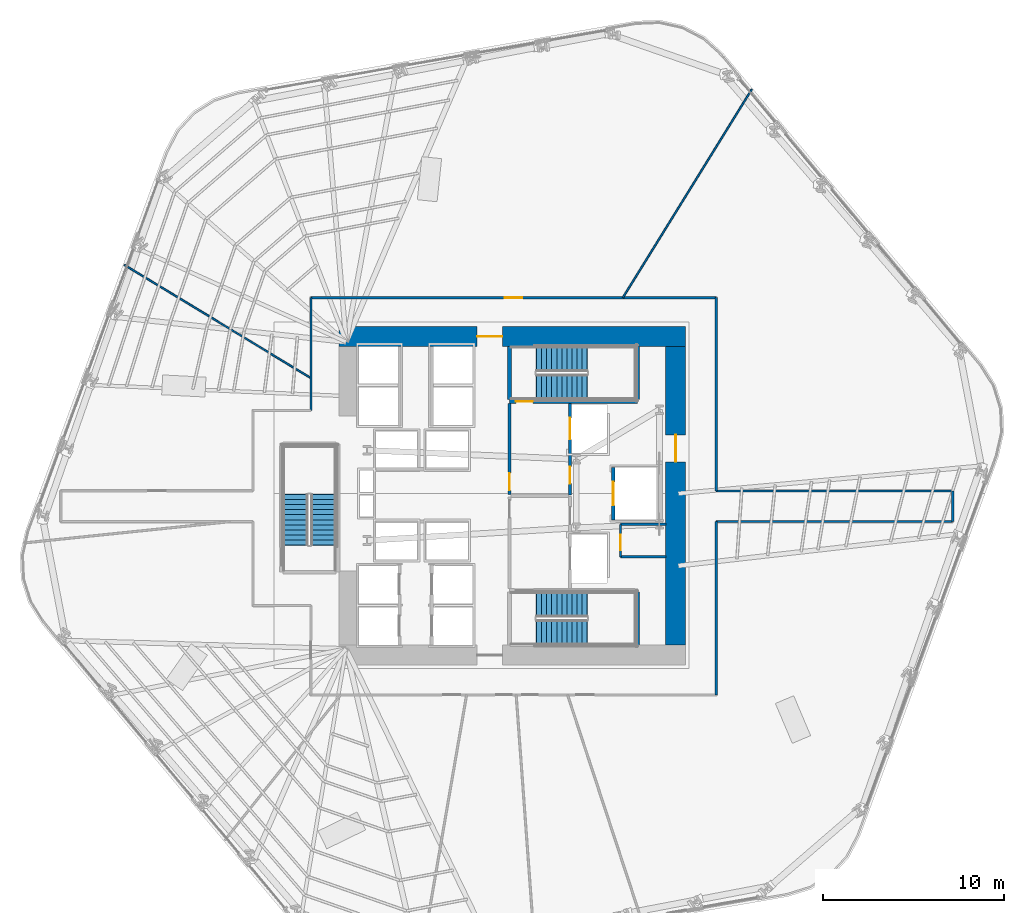
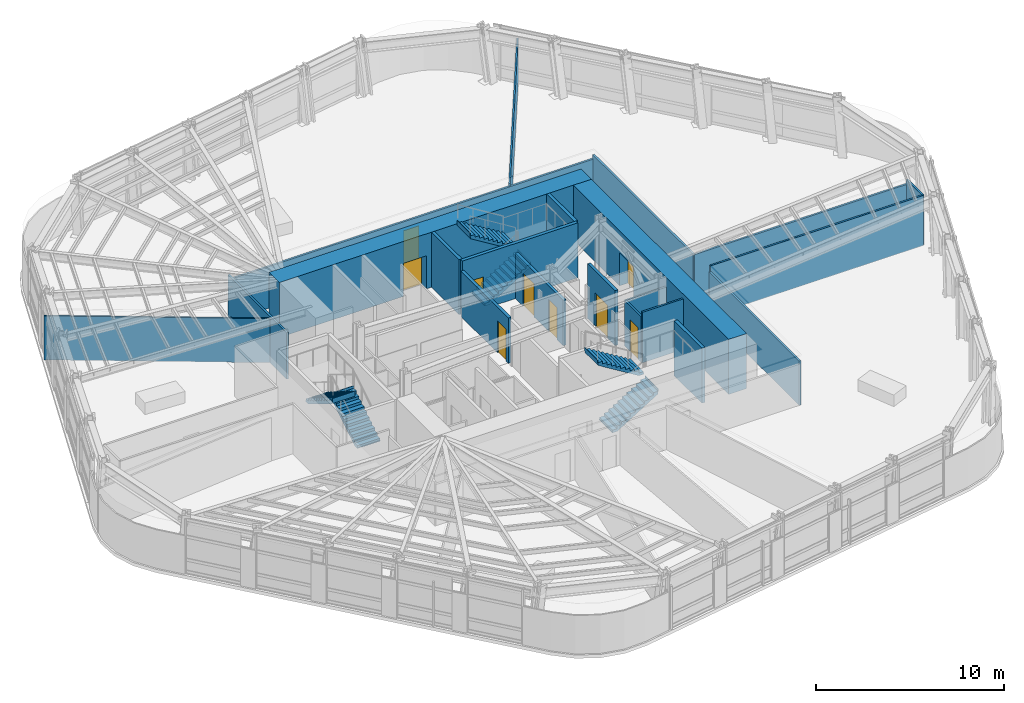
# One storey, part 9 of 16: 21 walls, 9 doors, 6 stair flights, 9 openings, 3 elements without a shape of their own.
"""IFC4 building model written with IfcOpenShell, lengths in metres."""

from ifc_helpers import new_model, si_unit, direction, frame, frame_2d, origin, place, context, subcontext, project, spatial, polyline, rectangle, outline, extrude, material, layer, layer_set, type_object, element, fill, aggregate, save


model = new_model("IFC4")

# Units and contexts
model_context = context("Model", 3, precision=1e-05, world=origin(), true_north=direction((0.0, 1.0)))
body_context = subcontext(model_context, "Body", "Model", "MODEL_VIEW")
ifc_project = project(units=[si_unit("LENGTHUNIT", "METRE"), si_unit("AREAUNIT", "SQUARE_METRE"), si_unit("VOLUMEUNIT", "CUBIC_METRE"), si_unit("PLANEANGLEUNIT", "RADIAN"), si_unit("MASSUNIT", "GRAM", prefix="KILO")], contexts=[model_context])

# Site, building, storey
site_placement = place(None, origin())
site = spatial("IfcSite", under=ifc_project, at=site_placement, CompositionType="ELEMENT")
building_placement = place(site_placement, origin())
building = spatial("IfcBuilding", under=site, at=building_placement, Name="Valkerne Bourse Tower", CompositionType="ELEMENT")
storey_placement = place(building_placement, frame((0.0, 0.0, 65.800048828125)))
storey = spatial("IfcBuildingStorey", under=building, at=storey_placement, Name="L16", CompositionType="ELEMENT", Elevation=65.800048828125)

# Wall, opening, door
ifc_material_1 = material(Name="Concrete C70/85", Category="concrete")
ifc_layer_1 = layer(ifc_material_1, 1.10009765625)
ifc_layer_set_1 = layer_set([ifc_layer_1], Name="Concrete C70/85")
wall_type_1 = type_object("IfcWallType", Name="W-CORE-1100", PredefinedType="SHEAR", material=ifc_layer_set_1)
wall_1_placement = place(storey_placement, frame((37.199951171875, 35.699951171875, 0.0), z_axis=(0.0, 0.0, 1.0), x_axis=(1.0, 0.0, 0.0)))
wall_1 = element("IfcWall", 1, at=wall_1_placement, inside=storey, type_object=wall_type_1, Name="L16 Core Shear Wall NORTH", PredefinedType="SHEAR", context=body_context, shape_type="SweptSolid", body=[
    extrude(rectangle(XDim=19.199951171875, YDim=1.10009765625, at=frame_2d((9.60009765625, 0.0))), origin(), (0.0, 0.0, 1.0), 3.579833984375),
])
opening_1_placement = place(wall_1_placement, frame((7.64990234375, 0.0, 0.0)))
opening_1 = element("IfcOpeningElement", 2, at=opening_1_placement, cuts=wall_1, Name="Opening D-PL-1400", PredefinedType="OPENING", context=body_context, shape_type="SweptSolid", body=[
    extrude(rectangle(XDim=1.39990234375, YDim=2.14990234375, at=frame_2d((0.699951171875, 1.074951171875))), frame((0.0, 0.56005859375, 0.0), z_axis=(0.0, -1.0, 0.0), x_axis=(1.0, 0.0, 0.0)), (0.0, 0.0, 1.0), 1.1201171875),
])
ifc_material_2 = material(Name="Galvanised Painted Steel", Category="steel")
door_type_1 = type_object("IfcDoorType", Name="DR-PLT-1400", OperationType="DOUBLE_DOOR_SINGLE_SWING", PredefinedType="DOOR", material=ifc_material_2)
door_1_placement = place(opening_1_placement, origin())
door_1 = element("IfcDoor", 3, at=door_1_placement, inside=storey, type_object=door_type_1, Name="L16 North Passenger Lift Hall Fire Door", OperationType="DOUBLE_DOOR_SINGLE_SWING", OverallHeight=2.14990234375, OverallWidth=1.39990234375, PredefinedType="DOOR", context=body_context, shape_type="SweptSolid", body=[
    extrude(rectangle(XDim=1.39990234375, YDim=2.14990234375, at=frame_2d((0.699951171875, 1.074951171875))), frame((0.0, 0.02490234375, 0.0), z_axis=(0.0, -1.0, 0.0), x_axis=(1.0, 0.0, 0.0)), (0.0, 0.0, 1.0), 0.050048828125),
])
fill(opening_1, door_1)

wall_2_placement = place(storey_placement, frame((55.85009765625, 18.60009765625, 0.0), z_axis=(0.0, 0.0, 1.0), x_axis=(0.0, 1.0, 0.0)))
wall_2 = element("IfcWall", 4, at=wall_2_placement, inside=storey, type_object=wall_type_1, Name="L16 Core Shear Wall EAST", PredefinedType="SHEAR", context=body_context, shape_type="SweptSolid", body=[
    extrude(rectangle(XDim=16.5498046875, YDim=1.10009765625, at=frame_2d((8.27490234375, 0.0))), origin(), (0.0, 0.0, 1.0), 3.579833984375),
])
opening_2_placement = place(wall_2_placement, frame((10.14990234375, 0.0, 0.0)))
opening_2 = element("IfcOpeningElement", 5, at=opening_2_placement, cuts=wall_2, Name="Opening D-CR-1500", PredefinedType="OPENING", context=body_context, shape_type="SweptSolid", body=[
    extrude(rectangle(XDim=1.5, YDim=2.14990234375, at=frame_2d((0.75, 1.074951171875))), frame((0.0, 0.56005859375, 0.0), z_axis=(0.0, -1.0, 0.0), x_axis=(1.0, 0.0, 0.0)), (0.0, 0.0, 1.0), 1.1201171875),
])
door_type_2 = type_object("IfcDoorType", Name="DR-CORR-1500", OperationType="DOUBLE_DOOR_SINGLE_SWING", PredefinedType="DOOR", material=ifc_material_2)
door_2_placement = place(opening_2_placement, origin())
door_2 = element("IfcDoor", 6, at=door_2_placement, inside=storey, type_object=door_type_2, Name="L16 East Core Service Lobby Fire Door", OperationType="DOUBLE_DOOR_SINGLE_SWING", OverallHeight=2.14990234375, OverallWidth=1.5, PredefinedType="DOOR", context=body_context, shape_type="SweptSolid", body=[
    extrude(rectangle(XDim=1.5, YDim=2.14990234375, at=frame_2d((0.75, 1.074951171875))), frame((0.0, 0.02490234375, 0.0), z_axis=(0.0, -1.0, 0.0), x_axis=(1.0, 0.0, 0.0)), (0.0, 0.0, 1.0), 0.050048828125),
])
fill(opening_2, door_2)

ifc_material_3 = material(Name="Gypsum Board Steel-Stud Partition", Category="steel")
ifc_layer_2 = layer(ifc_material_3, 0.117919921875)
ifc_layer_set_2 = layer_set([ifc_layer_2], Name="Gypsum Board Steel-Stud Partition")
wall_type_2 = type_object("IfcWallType", Name="W-CORR-140", PredefinedType="PARTITIONING", material=ifc_layer_set_2)
wall_3_placement = place(storey_placement, frame((52.800048828125, 23.5, 0.0), z_axis=(0.0, 0.0, 1.0), x_axis=(0.0, 1.0, 0.0)))
wall_3 = element("IfcWall", 7, at=wall_3_placement, inside=storey, type_object=wall_type_2, Name="L16 Core SE North-Bay West Wall", PredefinedType="PARTITIONING", context=body_context, shape_type="SweptSolid", body=[
    extrude(rectangle(XDim=1.800048828125, YDim=0.117919921875, at=frame_2d((0.89990234375, 0.0))), origin(), (0.0, 0.0, 1.0), 2.957763671875),
])
opening_3_placement = place(wall_3_placement, frame((0.35009765625, 0.0, 0.0)))
opening_3 = element("IfcOpeningElement", 8, at=opening_3_placement, cuts=wall_3, Name="Opening D-WC-900", PredefinedType="OPENING", context=body_context, shape_type="SweptSolid", body=[
    extrude(rectangle(XDim=0.860107421875, YDim=2.050048828125, at=frame_2d((0.43017578125, 1.02490234375))), frame((0.0, 0.06884765625, 0.0), z_axis=(0.0, -1.0, 0.0), x_axis=(1.0, 0.0, 0.0)), (0.0, 0.0, 1.0), 0.137939453125),
])
ifc_material_4 = material(Name="Architectural White Oak Timber", Category="wood")
door_type_3 = type_object("IfcDoorType", Name="DR-WC-900", OperationType="NOTDEFINED", PredefinedType="DOOR", material=ifc_material_4)
door_3_placement = place(opening_3_placement, origin())
door_3 = element("IfcDoor", 9, at=door_3_placement, inside=storey, type_object=door_type_3, Name="L16 Telecom Closet Door", OperationType="SINGLE_SWING_RIGHT", OverallHeight=2.050048828125, OverallWidth=0.860107421875, PredefinedType="DOOR", context=body_context, shape_type="SweptSolid", body=[
    extrude(rectangle(XDim=0.860107421875, YDim=2.050048828125, at=frame_2d((0.43017578125, 1.02490234375))), frame((0.0, 0.02490234375, 0.0), z_axis=(0.0, -1.0, 0.0), x_axis=(1.0, 0.0, 0.0)), (0.0, 0.0, 1.0), 0.050048828125),
])
fill(opening_3, door_3)

# Walls
wall_4_placement = place(storey_placement, frame((52.800048828125, 23.5, 0.0), z_axis=(0.0, 0.0, 1.0), x_axis=(1.0, 0.0, 0.0)))
element("IfcWall", 10, at=wall_4_placement, inside=storey, type_object=wall_type_2, Name="L16 Core SE North-Bay South Wall", PredefinedType="PARTITIONING", context=body_context, shape_type="SweptSolid", body=[
    extrude(rectangle(XDim=2.52001953125, YDim=0.117919921875, at=frame_2d((1.260009765625, 0.0))), origin(), (0.0, 0.0, 1.0), 3.280029296875),
])
wall_5_placement = place(storey_placement, frame((52.800048828125, 25.300048828125, 0.0), z_axis=(0.0, 0.0, 1.0), x_axis=(1.0, 0.0, 0.0)))
element("IfcWall", 11, at=wall_5_placement, inside=storey, type_object=wall_type_2, Name="L16 Core SE North-Bay North Wall", PredefinedType="PARTITIONING", context=body_context, shape_type="SweptSolid", body=[
    extrude(rectangle(XDim=2.52001953125, YDim=0.117919921875, at=frame_2d((1.260009765625, 0.0))), origin(), (0.0, 0.0, 1.0), 2.957763671875),
])
wall_6_placement = place(storey_placement, frame((58.10009765625, 27.14990234375, 0.0), z_axis=(0.0, 0.0, 1.0), x_axis=(1.0, 0.0, 0.0)))
element("IfcWall", 12, at=wall_6_placement, inside=storey, type_object=wall_type_2, Name="L16 Corridor Enclosure Wall", PredefinedType="PARTITIONING", context=body_context, shape_type="SweptSolid", body=[
    extrude(rectangle(XDim=13.099853515625, YDim=0.117919921875, at=frame_2d((6.5498046875, 0.0))), origin(), (0.0, 0.0, 1.0), 2.962890625),
])
wall_7_placement = place(storey_placement, frame((71.199951171875, 27.14990234375, 0.0), z_axis=(0.0, 0.0, 1.0), x_axis=(0.0, -1.0, 0.0)))
element("IfcWall", 13, at=wall_7_placement, inside=storey, type_object=wall_type_2, Name="L16 Corridor Enclosure Wall", PredefinedType="PARTITIONING", context=body_context, shape_type="SweptSolid", body=[
    extrude(rectangle(XDim=1.699951171875, YDim=0.117919921875, at=frame_2d((0.85009765625, 0.0))), origin(), (0.0, 0.0, 1.0), 3.260009765625),
])
wall_8_placement = place(storey_placement, frame((71.199951171875, 25.449951171875, 0.0), z_axis=(0.0, 0.0, 1.0), x_axis=(-1.0, 0.0, 0.0)))
element("IfcWall", 14, at=wall_8_placement, inside=storey, type_object=wall_type_2, Name="L16 Corridor Enclosure Wall", PredefinedType="PARTITIONING", context=body_context, shape_type="SweptSolid", body=[
    extrude(rectangle(XDim=13.099853515625, YDim=0.117919921875, at=frame_2d((6.5498046875, 0.0))), origin(), (0.0, 0.0, 1.0), 3.260009765625),
])
wall_9_placement = place(storey_placement, frame((58.10009765625, 25.449951171875, 0.0), z_axis=(0.0, 0.0, 1.0), x_axis=(0.0, -1.0, 0.0)))
element("IfcWall", 15, at=wall_9_placement, inside=storey, type_object=wall_type_2, Name="L16 Corridor Enclosure Wall", PredefinedType="PARTITIONING", context=body_context, shape_type="SweptSolid", body=[
    extrude(rectangle(XDim=9.599853515625, YDim=0.117919921875, at=frame_2d((4.7998046875, 0.0))), origin(), (0.0, 0.0, 1.0), 2.87646484375),
])
wall_10_placement = place(storey_placement, frame((35.64990234375, 31.60009765625, 0.0), z_axis=(0.0, 0.0, 1.0), x_axis=(0.0, 1.0, 0.0)))
element("IfcWall", 16, at=wall_10_placement, inside=storey, type_object=wall_type_2, Name="L16 Corridor Enclosure Wall", PredefinedType="PARTITIONING", context=body_context, shape_type="SweptSolid", body=[
    extrude(rectangle(XDim=6.25, YDim=0.117919921875, at=frame_2d((3.125, 0.0))), origin(), (0.0, 0.0, 1.0), 3.021240234375),
])

# Wall, opening, door
wall_11_placement = place(storey_placement, frame((35.64990234375, 37.85009765625, 0.0), z_axis=(0.0, 0.0, 1.0), x_axis=(1.0, 0.0, 0.0)))
wall_11 = element("IfcWall", 17, at=wall_11_placement, inside=storey, type_object=wall_type_2, Name="L16 Corridor Enclosure Wall", PredefinedType="PARTITIONING", context=body_context, shape_type="SweptSolid", body=[
    extrude(rectangle(XDim=22.4501953125, YDim=0.117919921875, at=frame_2d((11.22509765625, 0.0))), origin(), (0.0, 0.0, 1.0), 2.71142578125),
])
opening_4_placement = place(wall_11_placement, frame((10.75, 0.0, 0.0)))
opening_4 = element("IfcOpeningElement", 18, at=opening_4_placement, cuts=wall_11, Name="Opening D-OF-950", PredefinedType="OPENING", context=body_context, shape_type="SweptSolid", body=[
    extrude(rectangle(XDim=0.949951171875, YDim=2.10009765625, at=frame_2d((0.47509765625, 1.050048828125))), frame((0.0, 0.06884765625, 0.0), z_axis=(0.0, -1.0, 0.0), x_axis=(1.0, 0.0, 0.0)), (0.0, 0.0, 1.0), 0.137939453125),
])
door_type_4 = type_object("IfcDoorType", Name="DR-OFF-950", OperationType="NOTDEFINED", PredefinedType="DOOR", material=ifc_material_4)
door_4_placement = place(opening_4_placement, origin())
door_4 = element("IfcDoor", 19, at=door_4_placement, inside=storey, type_object=door_type_4, Name="L16 L16 VIP Client Concierge Reception 6 Door", OperationType="SINGLE_SWING_LEFT", OverallHeight=2.10009765625, OverallWidth=0.949951171875, PredefinedType="DOOR", context=body_context, shape_type="SweptSolid", body=[
    extrude(rectangle(XDim=0.949951171875, YDim=2.10009765625, at=frame_2d((0.47509765625, 1.050048828125))), frame((0.0, 0.02490234375, 0.0), z_axis=(0.0, -1.0, 0.0), x_axis=(1.0, 0.0, 0.0)), (0.0, 0.0, 1.0), 0.050048828125),
])
fill(opening_4, door_4)

# Wall
wall_12_placement = place(storey_placement, frame((58.10009765625, 37.85009765625, 0.0), z_axis=(0.0, 0.0, 1.0), x_axis=(0.0, -1.0, 0.0)))
element("IfcWall", 20, at=wall_12_placement, inside=storey, type_object=wall_type_2, Name="L16 Corridor Enclosure Wall", PredefinedType="PARTITIONING", context=body_context, shape_type="SweptSolid", body=[
    extrude(rectangle(XDim=10.7001953125, YDim=0.117919921875, at=frame_2d((5.35009765625, 0.0))), origin(), (0.0, 0.0, 1.0), 2.962890625),
])

# Wall, opening, door
ifc_material_5 = material(Name="Gypsum Fire-Rated Shaftwall", Category="gypsum")
ifc_layer_3 = layer(ifc_material_5, 0.179931640625)
ifc_layer_set_3 = layer_set([ifc_layer_3], Name="Gypsum Fire-Rated Shaftwall")
wall_type_3 = type_object("IfcWallType", Name="W-FSAE-180", PredefinedType="PARTITIONING", material=ifc_layer_set_3)
wall_13_placement = place(storey_placement, frame((46.64990234375, 26.9599609375, 0.0), z_axis=(0.0, 0.0, 1.0), x_axis=(0.0, 1.0, 0.0)))
wall_13 = element("IfcWall", 21, at=wall_13_placement, inside=storey, type_object=wall_type_3, Name="L16 FSAE-2 Lobby West Fire Wall", PredefinedType="PARTITIONING", context=body_context, shape_type="SweptSolid", body=[
    extrude(rectangle(XDim=5.0400390625, YDim=0.179931640625, at=frame_2d((2.52001953125, 0.0))), origin(), (0.0, 0.0, 1.0), 2.957763671875),
])
opening_5_placement = place(wall_13_placement, frame((0.219970703125, 0.0, 0.0)))
opening_5 = element("IfcOpeningElement", 22, at=opening_5_placement, cuts=wall_13, Name="Opening D-FS-950", PredefinedType="OPENING", context=body_context, shape_type="SweptSolid", body=[
    extrude(rectangle(XDim=0.949951171875, YDim=2.10009765625, at=frame_2d((0.47509765625, 1.050048828125))), frame((0.0, 0.099853515625, 0.0), z_axis=(0.0, -1.0, 0.0), x_axis=(1.0, 0.0, 0.0)), (0.0, 0.0, 1.0), 0.199951171875),
])
door_type_5 = type_object("IfcDoorType", Name="DR-FSAE-950", OperationType="NOTDEFINED", PredefinedType="DOOR", material=ifc_material_2)
door_5_placement = place(opening_5_placement, origin())
door_5 = element("IfcDoor", 23, at=door_5_placement, inside=storey, type_object=door_type_5, Name="L16 FSAE-2 Hall Link Fire Door", OperationType="SINGLE_SWING_RIGHT", OverallHeight=2.10009765625, OverallWidth=0.949951171875, PredefinedType="DOOR", context=body_context, shape_type="SweptSolid", body=[
    extrude(rectangle(XDim=0.949951171875, YDim=2.10009765625, at=frame_2d((0.47509765625, 1.050048828125))), frame((0.0, 0.02490234375, 0.0), z_axis=(0.0, -1.0, 0.0), x_axis=(1.0, 0.0, 0.0)), (0.0, 0.0, 1.0), 0.050048828125),
])
fill(opening_5, door_5)

# Wall, openings, doors
wall_14_placement = place(storey_placement, frame((50.0, 26.919921875, 0.0), z_axis=(0.0, 0.0, 1.0), x_axis=(0.0, 1.0, 0.0)))
wall_14 = element("IfcWall", 24, at=wall_14_placement, inside=storey, type_object=wall_type_3, Name="L16 FSAE-2 Lobby & Shaft Front Wall", PredefinedType="PARTITIONING", context=body_context, shape_type="SweptSolid", body=[
    extrude(rectangle(XDim=5.080078125, YDim=0.179931640625, at=frame_2d((2.5400390625, 0.0))), origin(), (0.0, 0.0, 1.0), 2.957763671875),
])
opening_6_placement = place(wall_14_placement, frame((3.080078125, 0.0, 0.0)))
opening_6 = element("IfcOpeningElement", 25, at=opening_6_placement, cuts=wall_14, Name="Opening LD-1200", PredefinedType="OPENING", context=body_context, shape_type="SweptSolid", body=[
    extrude(rectangle(XDim=1.199951171875, YDim=2.14990234375, at=frame_2d((0.60009765625, 1.074951171875))), frame((0.0, 0.099853515625, 0.0), z_axis=(0.0, -1.0, 0.0), x_axis=(1.0, 0.0, 0.0)), (0.0, 0.0, 1.0), 0.199951171875),
])
opening_7_placement = place(wall_14_placement, frame((0.6298828125, 0.0, 0.0)))
opening_7 = element("IfcOpeningElement", 26, at=opening_7_placement, cuts=wall_14, Name="Opening D-FS-950", PredefinedType="OPENING", context=body_context, shape_type="SweptSolid", body=[
    extrude(rectangle(XDim=0.949951171875, YDim=2.10009765625, at=frame_2d((0.47509765625, 1.050048828125))), frame((0.0, 0.099853515625, 0.0), z_axis=(0.0, -1.0, 0.0), x_axis=(1.0, 0.0, 0.0)), (0.0, 0.0, 1.0), 0.199951171875),
])
door_6_placement = place(opening_7_placement, origin())
door_6 = element("IfcDoor", 27, at=door_6_placement, inside=storey, type_object=door_type_5, Name="L16 FSAE-2 Lobby Corridor Fire Door", OperationType="SINGLE_SWING_RIGHT", OverallHeight=2.10009765625, OverallWidth=0.949951171875, PredefinedType="DOOR", context=body_context, shape_type="SweptSolid", body=[
    extrude(rectangle(XDim=0.949951171875, YDim=2.10009765625, at=frame_2d((0.47509765625, 1.050048828125))), frame((0.0, 0.02490234375, 0.0), z_axis=(0.0, -1.0, 0.0), x_axis=(1.0, 0.0, 0.0)), (0.0, 0.0, 1.0), 0.050048828125),
])
fill(opening_7, door_6)
ifc_material_6 = material(Name="Stainless Steel AISI 316", Category="steel")
door_type_6 = type_object("IfcDoorType", Name="DR-LIFT-1200", OperationType="DOUBLE_DOOR_SLIDING", PredefinedType="DOOR", material=ifc_material_6)
door_7_placement = place(opening_6_placement, origin())
door_7 = element("IfcDoor", 28, at=door_7_placement, inside=storey, type_object=door_type_6, Name="L16 FSAE-2 Firefighting Lift Landing Door", OperationType="DOUBLE_DOOR_SLIDING", OverallHeight=2.14990234375, OverallWidth=1.199951171875, PredefinedType="DOOR", context=body_context, shape_type="SweptSolid", body=[
    extrude(rectangle(XDim=1.199951171875, YDim=2.14990234375, at=frame_2d((0.60009765625, 1.074951171875))), frame((0.0, 0.02490234375, 0.0), z_axis=(0.0, -1.0, 0.0), x_axis=(1.0, 0.0, 0.0)), (0.0, 0.0, 1.0), 0.050048828125),
])
fill(opening_6, door_7)

# Wall, opening, door
ifc_material_7 = material(Name="CMU Blockwork Masonry 200mm", Category="masonry")
ifc_layer_4 = layer(ifc_material_7, 0.179931640625)
ifc_layer_set_4 = layer_set([ifc_layer_4], Name="CMU Blockwork Masonry 200mm")
wall_type_4 = type_object("IfcWallType", Name="W-LFT-180", PredefinedType="SOLIDWALL", material=ifc_layer_set_4)
wall_15_placement = place(storey_placement, frame((52.39990234375, 25.550048828125, 0.0), z_axis=(0.0, 0.0, 1.0), x_axis=(0.0, 1.0, 0.0)))
wall_15 = element("IfcWall", 29, at=wall_15_placement, inside=storey, type_object=wall_type_4, Name="L16 Service Lift SV-1 Front Wall", PredefinedType="SOLIDWALL", context=body_context, shape_type="SweptSolid", body=[
    extrude(rectangle(XDim=2.89990234375, YDim=0.179931640625, at=frame_2d((1.449951171875, 0.0))), origin(), (0.0, 0.0, 1.0), 3.579833984375),
])
opening_8_placement = place(wall_15_placement, frame((0.800048828125, 0.0, 0.0)))
opening_8 = element("IfcOpeningElement", 30, at=opening_8_placement, cuts=wall_15, Name="Opening LD-1300", PredefinedType="OPENING", context=body_context, shape_type="SweptSolid", body=[
    extrude(rectangle(XDim=1.300048828125, YDim=2.14990234375, at=frame_2d((0.64990234375, 1.074951171875))), frame((0.0, 0.099853515625, 0.0), z_axis=(0.0, -1.0, 0.0), x_axis=(1.0, 0.0, 0.0)), (0.0, 0.0, 1.0), 0.199951171875),
])
door_type_7 = type_object("IfcDoorType", Name="DR-LIFT-1300", OperationType="DOUBLE_DOOR_SLIDING", PredefinedType="DOOR", material=ifc_material_6)
door_8_placement = place(opening_8_placement, origin())
door_8 = element("IfcDoor", 31, at=door_8_placement, inside=storey, type_object=door_type_7, Name="L16 Service Lift SV-1 Landing Door", OperationType="DOUBLE_DOOR_SLIDING", OverallHeight=2.14990234375, OverallWidth=1.300048828125, PredefinedType="DOOR", context=body_context, shape_type="SweptSolid", body=[
    extrude(rectangle(XDim=1.300048828125, YDim=2.14990234375, at=frame_2d((0.64990234375, 1.074951171875))), frame((0.0, 0.02490234375, 0.0), z_axis=(0.0, -1.0, 0.0), x_axis=(1.0, 0.0, 0.0)), (0.0, 0.0, 1.0), 0.050048828125),
])
fill(opening_8, door_8)

# Walls
ifc_layer_5 = layer(ifc_material_3, 0.092041015625)
ifc_layer_set_5 = layer_set([ifc_layer_5], Name="Gypsum Board Steel-Stud Partition")
wall_type_5 = type_object("IfcWallType", Name="W-PART-115", PredefinedType="PARTITIONING", material=ifc_layer_set_5)
wall_16_placement = place(storey_placement, frame((52.9267578125, 37.85498046875, 0.0), z_axis=(0.0, 0.0, 1.0), x_axis=(0.526740515389, 0.850026134567, 0.0)))
element("IfcWall", 32, at=wall_16_placement, inside=storey, type_object=wall_type_5, Name="L16 Suite Partition P04", PredefinedType="PARTITIONING", context=body_context, shape_type="SweptSolid", body=[
    extrude(rectangle(XDim=13.56689453125, YDim=0.092041015625, at=frame_2d((6.783447265625, 0.0))), origin(), (0.0, 0.0, 1.0), 2.86376953125),
])
wall_17_placement = place(storey_placement, frame((35.64501953125, 33.402587890625, 0.0), z_axis=(0.0, 0.0, 1.0), x_axis=(-0.854995847328, 0.518634843654, 0.0)))
element("IfcWall", 33, at=wall_17_placement, inside=storey, type_object=wall_type_5, Name="L16 Suite Partition P05", PredefinedType="PARTITIONING", context=body_context, shape_type="SweptSolid", body=[
    extrude(rectangle(XDim=12.082763671875, YDim=0.092041015625, at=frame_2d((6.04150390625, 0.0))), origin(), (0.0, 0.0, 1.0), 2.86376953125),
])
ifc_material_8 = material(Name="Concrete C40/50", Category="concrete")
ifc_layer_6 = layer(ifc_material_8, 0.199951171875)
ifc_layer_set_6 = layer_set([ifc_layer_6], Name="Concrete C40/50")
wall_type_6 = type_object("IfcWallType", Name="W-SHF-200", PredefinedType="SHEAR", material=ifc_layer_set_6)
wall_18_placement = place(storey_placement, frame((53.75, 18.60009765625, 0.0), z_axis=(0.0, 0.0, 1.0), x_axis=(0.0, 1.0, 0.0)))
element("IfcWall", 34, at=wall_18_placement, inside=storey, type_object=wall_type_6, Name="L16 Exit Stair ST-1 Structural Shaft Wall East", PredefinedType="SHEAR", context=body_context, shape_type="SweptSolid", body=[
    extrude(rectangle(XDim=2.949951171875, YDim=0.199951171875, at=frame_2d((1.47509765625, 0.0))), origin(), (0.0, 0.0, 1.0), 3.579833984375),
])

# Wall, opening, door
wall_19_placement = place(storey_placement, frame((46.64990234375, 32.10009765625, 0.0), z_axis=(0.0, 0.0, 1.0), x_axis=(1.0, 0.0, 0.0)))
wall_19 = element("IfcWall", 35, at=wall_19_placement, inside=storey, type_object=wall_type_6, Name="L16 Exit Stair ST-2 Structural Shaft Wall South", PredefinedType="SHEAR", context=body_context, shape_type="SweptSolid", body=[
    extrude(rectangle(XDim=7.10009765625, YDim=0.199951171875, at=frame_2d((3.550048828125, 0.0))), origin(), (0.0, 0.0, 1.0), 3.579833984375),
])
opening_9_placement = place(wall_19_placement, frame((0.35009765625, 0.0, 0.0)))
opening_9 = element("IfcOpeningElement", 36, at=opening_9_placement, cuts=wall_19, Name="Opening D-ST-950", PredefinedType="OPENING", context=body_context, shape_type="SweptSolid", body=[
    extrude(rectangle(XDim=0.949951171875, YDim=2.10009765625, at=frame_2d((0.47509765625, 1.050048828125))), frame((0.0, 0.10986328125, 0.0), z_axis=(0.0, -1.0, 0.0), x_axis=(1.0, 0.0, 0.0)), (0.0, 0.0, 1.0), 0.219970703125),
])
door_type_8 = type_object("IfcDoorType", Name="DR-STAIR-950", OperationType="NOTDEFINED", PredefinedType="DOOR", material=ifc_material_2)
door_9_placement = place(opening_9_placement, origin())
door_9 = element("IfcDoor", 37, at=door_9_placement, inside=storey, type_object=door_type_8, Name="L16 Exit Stair ST-2 Door", OperationType="SINGLE_SWING_RIGHT", OverallHeight=2.10009765625, OverallWidth=0.949951171875, PredefinedType="DOOR", context=body_context, shape_type="SweptSolid", body=[
    extrude(rectangle(XDim=0.949951171875, YDim=2.10009765625, at=frame_2d((0.47509765625, 1.050048828125))), frame((0.0, 0.02490234375, 0.0), z_axis=(0.0, -1.0, 0.0), x_axis=(1.0, 0.0, 0.0)), (0.0, 0.0, 1.0), 0.050048828125),
])
fill(opening_9, door_9)

# Walls
for number, where, z_axis, x_axis, name in (
    (38, (46.64990234375, 32.199951171875, 0.0), (0.0, 0.0, 1.0), (0.0, 1.0, 0.0), "L16 Exit Stair ST-2 Structural Shaft Wall West"),
    (39, (53.75, 32.199951171875, 0.0), (0.0, 0.0, 1.0), (0.0, 1.0, 0.0), "L16 Exit Stair ST-2 Structural Shaft Wall East"),
):
    element("IfcWall", number, at=place(storey_placement, frame(where, z_axis=z_axis, x_axis=x_axis)), inside=storey, type_object=wall_type_6, Name=name, PredefinedType="SHEAR", context=body_context, shape_type="SweptSolid", body=[
        extrude(rectangle(XDim=2.949951171875, YDim=0.199951171875, at=frame_2d((1.47509765625, 0.0))), origin(), (0.0, 0.0, 1.0), 3.579833984375),
    ])

# Stair, stair flights
stair_type = type_object("IfcStairType", Name="ST-CORE-1400", PredefinedType="HALF_TURN_STAIR", material=ifc_material_8)
stair_1_placement = place(storey_placement, origin())
stair_1 = element("IfcStair", 40, at=stair_1_placement, inside=storey, type_object=stair_type, Name="L16 ST-1", PredefinedType="HALF_TURN_STAIR")
stair_flight_type = type_object("IfcStairFlightType", Name="STF-CORE-1400", PredefinedType="STRAIGHT", material=ifc_material_8)
stair_flight_1_placement = place(storey_placement, frame((48.14990234375, 19.300048828125, 0.0), z_axis=(0.0, 0.0, 1.0), x_axis=(1.0, 0.0, 0.0)))
stair_flight_1 = element("IfcStairFlight", 41, at=stair_flight_1_placement, type_object=stair_flight_type, Name="ST-1 flight 1", NumberOfRisers=11, NumberOfTreads=10, PredefinedType="STRAIGHT", RiserHeight=0.172727273, TreadLength=0.28, context=body_context, shape_type="SweptSolid", body=[
    extrude(outline(polyline([(-0.02001953125, 0.0), (-0.02001953125, 0.044921875), (0.0, 0.044921875), (0.0, 0.172607421875), (0.280029296875, 0.172607421875), (0.280029296875, 0.345458984375), (0.56005859375, 0.345458984375), (0.56005859375, 0.51806640625), (0.840087890625, 0.51806640625), (0.840087890625, 0.69091796875), (1.1201171875, 0.69091796875), (1.1201171875, 0.863525390625), (1.39990234375, 0.863525390625), (1.39990234375, 1.036376953125), (1.679931640625, 1.036376953125), (1.679931640625, 1.208984375), (1.9599609375, 1.208984375), (1.9599609375, 1.3818359375), (2.239990234375, 1.3818359375), (2.239990234375, 1.554443359375), (2.52001953125, 1.554443359375), (2.52001953125, 1.727294921875), (2.800048828125, 1.727294921875), (2.800048828125, 1.89990234375), (2.820068359375, 1.89990234375), (2.820068359375, 1.780029296875), (2.800048828125, 1.551025390625), (0.285400390625, 0.0), (-0.02001953125, 0.0)])), frame((0.0, 0.699951171875, 0.0), z_axis=(0.0, -1.0, 0.0), x_axis=(1.0, 0.0, 0.0)), (0.0, 0.0, 1.0), 1.39990234375),
])
stair_flight_2_placement = place(storey_placement, frame((50.949951171875, 20.85009765625, 1.89990234375), z_axis=(0.0, 0.0, 1.0), x_axis=(-1.0, 0.0, 0.0)))
stair_flight_2 = element("IfcStairFlight", 42, at=stair_flight_2_placement, type_object=stair_flight_type, Name="ST-1 flight 2", NumberOfRisers=11, NumberOfTreads=10, PredefinedType="STRAIGHT", RiserHeight=0.172727273, TreadLength=0.28, context=body_context, shape_type="SweptSolid", body=[
    extrude(outline(polyline([(-0.02001953125, 0.0), (-0.02001953125, 0.044921875), (0.0, 0.044921875), (0.0, 0.172607421875), (0.280029296875, 0.172607421875), (0.280029296875, 0.345458984375), (0.56005859375, 0.345458984375), (0.56005859375, 0.51806640625), (0.840087890625, 0.51806640625), (0.840087890625, 0.69091796875), (1.1201171875, 0.69091796875), (1.1201171875, 0.863525390625), (1.39990234375, 0.863525390625), (1.39990234375, 1.036376953125), (1.679931640625, 1.036376953125), (1.679931640625, 1.208984375), (1.9599609375, 1.208984375), (1.9599609375, 1.3818359375), (2.239990234375, 1.3818359375), (2.239990234375, 1.554443359375), (2.52001953125, 1.554443359375), (2.52001953125, 1.727294921875), (2.800048828125, 1.727294921875), (2.800048828125, 1.89990234375), (2.820068359375, 1.89990234375), (2.820068359375, 1.780029296875), (2.800048828125, 1.551025390625), (0.285400390625, 0.0), (-0.02001953125, 0.0)])), frame((0.0, 0.699951171875, 0.0), z_axis=(0.0, -1.0, 0.0), x_axis=(1.0, 0.0, 0.0)), (0.0, 0.0, 1.0), 1.39990234375),
])
aggregate(stair_1, [stair_flight_1, stair_flight_2])

stair_2_placement = place(storey_placement, origin())
stair_2 = element("IfcStair", 43, at=stair_2_placement, inside=storey, type_object=stair_type, Name="L16 ST-2", PredefinedType="HALF_TURN_STAIR")
stair_flight_3_placement = place(storey_placement, frame((48.14990234375, 32.89990234375, 0.0), z_axis=(0.0, 0.0, 1.0), x_axis=(1.0, 0.0, 0.0)))
stair_flight_3 = element("IfcStairFlight", 44, at=stair_flight_3_placement, type_object=stair_flight_type, Name="ST-2 flight 1", NumberOfRisers=11, NumberOfTreads=10, PredefinedType="STRAIGHT", RiserHeight=0.172727273, TreadLength=0.28, context=body_context, shape_type="SweptSolid", body=[
    extrude(outline(polyline([(-0.02001953125, 0.0), (-0.02001953125, 0.044921875), (0.0, 0.044921875), (0.0, 0.172607421875), (0.280029296875, 0.172607421875), (0.280029296875, 0.345458984375), (0.56005859375, 0.345458984375), (0.56005859375, 0.51806640625), (0.840087890625, 0.51806640625), (0.840087890625, 0.69091796875), (1.1201171875, 0.69091796875), (1.1201171875, 0.863525390625), (1.39990234375, 0.863525390625), (1.39990234375, 1.036376953125), (1.679931640625, 1.036376953125), (1.679931640625, 1.208984375), (1.9599609375, 1.208984375), (1.9599609375, 1.3818359375), (2.239990234375, 1.3818359375), (2.239990234375, 1.554443359375), (2.52001953125, 1.554443359375), (2.52001953125, 1.727294921875), (2.800048828125, 1.727294921875), (2.800048828125, 1.89990234375), (2.820068359375, 1.89990234375), (2.820068359375, 1.780029296875), (2.800048828125, 1.551025390625), (0.285400390625, 0.0), (-0.02001953125, 0.0)])), frame((0.0, 0.699951171875, 0.0), z_axis=(0.0, -1.0, 0.0), x_axis=(1.0, 0.0, 0.0)), (0.0, 0.0, 1.0), 1.39990234375),
])
stair_flight_4_placement = place(storey_placement, frame((50.949951171875, 34.449951171875, 1.89990234375), z_axis=(0.0, 0.0, 1.0), x_axis=(-1.0, 0.0, 0.0)))
stair_flight_4 = element("IfcStairFlight", 45, at=stair_flight_4_placement, type_object=stair_flight_type, Name="ST-2 flight 2", NumberOfRisers=11, NumberOfTreads=10, PredefinedType="STRAIGHT", RiserHeight=0.172727273, TreadLength=0.28, context=body_context, shape_type="SweptSolid", body=[
    extrude(outline(polyline([(-0.02001953125, 0.0), (-0.02001953125, 0.044921875), (0.0, 0.044921875), (0.0, 0.172607421875), (0.280029296875, 0.172607421875), (0.280029296875, 0.345458984375), (0.56005859375, 0.345458984375), (0.56005859375, 0.51806640625), (0.840087890625, 0.51806640625), (0.840087890625, 0.69091796875), (1.1201171875, 0.69091796875), (1.1201171875, 0.863525390625), (1.39990234375, 0.863525390625), (1.39990234375, 1.036376953125), (1.679931640625, 1.036376953125), (1.679931640625, 1.208984375), (1.9599609375, 1.208984375), (1.9599609375, 1.3818359375), (2.239990234375, 1.3818359375), (2.239990234375, 1.554443359375), (2.52001953125, 1.554443359375), (2.52001953125, 1.727294921875), (2.800048828125, 1.727294921875), (2.800048828125, 1.89990234375), (2.820068359375, 1.89990234375), (2.820068359375, 1.780029296875), (2.800048828125, 1.551025390625), (0.285400390625, 0.0), (-0.02001953125, 0.0)])), frame((0.0, 0.699951171875, 0.0), z_axis=(0.0, -1.0, 0.0), x_axis=(1.0, 0.0, 0.0)), (0.0, 0.0, 1.0), 1.39990234375),
])
aggregate(stair_2, [stair_flight_3, stair_flight_4])

stair_3_placement = place(storey_placement, origin())
stair_3 = element("IfcStair", 46, at=stair_3_placement, inside=storey, type_object=stair_type, Name="L16 ST-3", PredefinedType="HALF_TURN_STAIR")
stair_flight_5_placement = place(storey_placement, frame((36.35009765625, 24.14990234375, 0.0), z_axis=(0.0, 0.0, 1.0), x_axis=(0.0, 1.0, 0.0)))
stair_flight_5 = element("IfcStairFlight", 47, at=stair_flight_5_placement, type_object=stair_flight_type, Name="ST-3 flight 1", NumberOfRisers=11, NumberOfTreads=10, PredefinedType="STRAIGHT", RiserHeight=0.172727273, TreadLength=0.28, context=body_context, shape_type="SweptSolid", body=[
    extrude(outline(polyline([(-0.02001953125, 0.0), (-0.02001953125, 0.044921875), (0.0, 0.044921875), (0.0, 0.172607421875), (0.280029296875, 0.172607421875), (0.280029296875, 0.345458984375), (0.56005859375, 0.345458984375), (0.56005859375, 0.51806640625), (0.840087890625, 0.51806640625), (0.840087890625, 0.69091796875), (1.1201171875, 0.69091796875), (1.1201171875, 0.863525390625), (1.39990234375, 0.863525390625), (1.39990234375, 1.036376953125), (1.679931640625, 1.036376953125), (1.679931640625, 1.208984375), (1.9599609375, 1.208984375), (1.9599609375, 1.3818359375), (2.239990234375, 1.3818359375), (2.239990234375, 1.554443359375), (2.52001953125, 1.554443359375), (2.52001953125, 1.727294921875), (2.800048828125, 1.727294921875), (2.800048828125, 1.89990234375), (2.820068359375, 1.89990234375), (2.820068359375, 1.780029296875), (2.800048828125, 1.551025390625), (0.285400390625, 0.0), (-0.02001953125, 0.0)])), frame((0.0, 0.699951171875, 0.0), z_axis=(0.0, -1.0, 0.0), x_axis=(1.0, 0.0, 0.0)), (0.0, 0.0, 1.0), 1.39990234375),
])
stair_flight_6_placement = place(storey_placement, frame((34.800048828125, 26.949951171875, 1.89990234375), z_axis=(0.0, 0.0, 1.0), x_axis=(0.0, -1.0, 0.0)))
stair_flight_6 = element("IfcStairFlight", 48, at=stair_flight_6_placement, type_object=stair_flight_type, Name="ST-3 flight 2", NumberOfRisers=11, NumberOfTreads=10, PredefinedType="STRAIGHT", RiserHeight=0.172727273, TreadLength=0.28, context=body_context, shape_type="SweptSolid", body=[
    extrude(outline(polyline([(-0.02001953125, 0.0), (-0.02001953125, 0.044921875), (0.0, 0.044921875), (0.0, 0.172607421875), (0.280029296875, 0.172607421875), (0.280029296875, 0.345458984375), (0.56005859375, 0.345458984375), (0.56005859375, 0.51806640625), (0.840087890625, 0.51806640625), (0.840087890625, 0.69091796875), (1.1201171875, 0.69091796875), (1.1201171875, 0.863525390625), (1.39990234375, 0.863525390625), (1.39990234375, 1.036376953125), (1.679931640625, 1.036376953125), (1.679931640625, 1.208984375), (1.9599609375, 1.208984375), (1.9599609375, 1.3818359375), (2.239990234375, 1.3818359375), (2.239990234375, 1.554443359375), (2.52001953125, 1.554443359375), (2.52001953125, 1.727294921875), (2.800048828125, 1.727294921875), (2.800048828125, 1.89990234375), (2.820068359375, 1.89990234375), (2.820068359375, 1.780029296875), (2.800048828125, 1.551025390625), (0.285400390625, 0.0), (-0.02001953125, 0.0)])), frame((0.0, 0.699951171875, 0.0), z_axis=(0.0, -1.0, 0.0), x_axis=(1.0, 0.0, 0.0)), (0.0, 0.0, 1.0), 1.39990234375),
])
aggregate(stair_3, [stair_flight_5, stair_flight_6])

save(model, "model.ifc")
